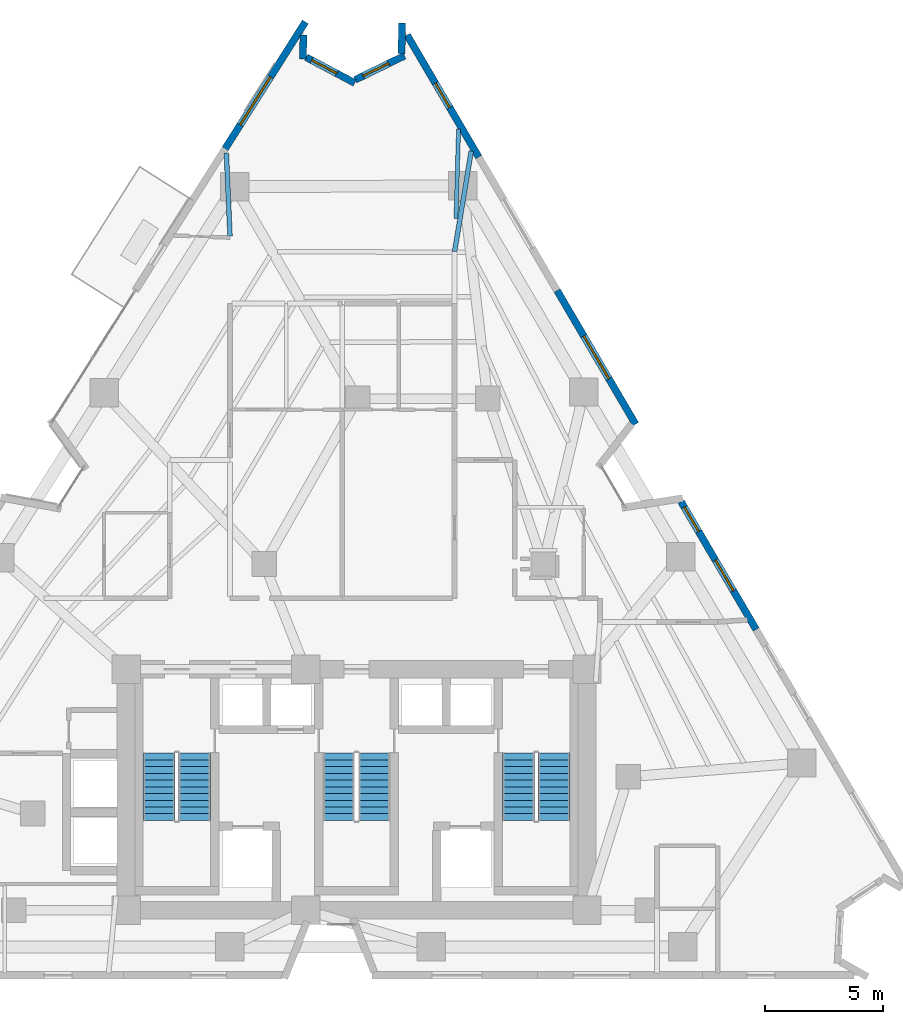
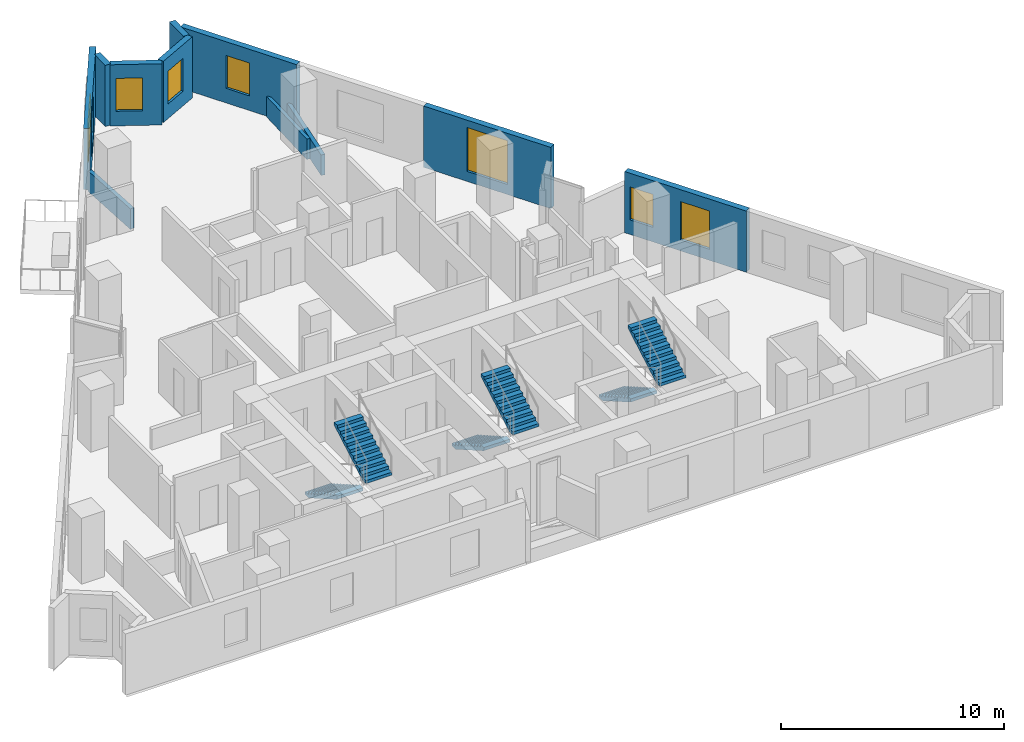
# One storey, part 9 of 11: 11 walls, 7 windows, 6 stair flights, 7 openings, 3 elements without a shape of their own.
"""IFC4 building model written with IfcOpenShell, lengths in metres."""

import ifcopenshell
import ifcopenshell.guid

model = None  # the IFC model being written
_history = None  # IfcOwnerHistory: only IFC2X3 demands one
_inside = {}  # id of a spatial element -> (the spatial element, [elements in it])
_under = {}  # id of a project, library or spatial element -> (it, [spatial elements below it])
_declared = {}  # id of a project -> (the project, [libraries it declares])
_typed = {}  # id of a type object -> (the type object, [elements of that type])
_made_of = {}  # id of a material, layer set ... -> (it, [elements and type objects made of it])


def new_model(schema):
    """Start an empty IFC model of exactly this schema.

    Asked for "IFC4X3", IfcOpenShell would pick the latest addendum, in which some entities
    have other attributes; the version numbers below select the first issue.
    IFC2X3 requires an IfcOwnerHistory on every rooted entity: one is made here for all.
    """
    global model, _history
    if schema == "IFC4X3":
        model = ifcopenshell.file(schema_version=(4, 3, 0, 0))
    else:
        model = ifcopenshell.file(schema=schema)
    _inside.clear()
    _under.clear()
    _declared.clear()
    _typed.clear()
    _made_of.clear()
    _history = None
    if model.schema == "IFC2X3":
        org = make("IfcOrganization", Name="unknown")
        user = make(
            "IfcPersonAndOrganization",
            ThePerson=make("IfcPerson", FamilyName="unknown"),
            TheOrganization=org,
        )
        app = make(
            "IfcApplication",
            ApplicationDeveloper=org,
            Version="unknown",
            ApplicationFullName="unknown",
            ApplicationIdentifier="unknown",
        )
        _history = make(
            "IfcOwnerHistory",
            OwningUser=user,
            OwningApplication=app,
            ChangeAction="ADDED",
            CreationDate=0,
        )
    return model


def make(cls, **values):
    """One entity of the class cls with the attributes given. An attribute that is None is left unset."""
    return model.create_entity(
        cls, **{name: value for name, value in values.items() if value is not None}
    )


def rooted(cls, **values):
    """An entity with a GlobalId (a new one), such as an element, a storey or a relation."""
    return make(cls, GlobalId=ifcopenshell.guid.new(), OwnerHistory=_history, **values)


def si_unit(unit_type, name, prefix=None):
    """IfcSIUnit, for example si_unit("LENGTHUNIT", "METRE", prefix="MILLI")."""
    return make("IfcSIUnit", UnitType=unit_type, Prefix=prefix, Name=name)


def assignment(units):
    """IfcUnitAssignment: the units of a project."""
    return None if units is None else make("IfcUnitAssignment", Units=units)


def point(xyz):
    """IfcCartesianPoint."""
    return None if xyz is None else make("IfcCartesianPoint", Coordinates=xyz)


def direction(xyz):
    """IfcDirection."""
    return None if xyz is None else make("IfcDirection", DirectionRatios=xyz)


def frame(location, z_axis=None, x_axis=None):
    """IfcAxis2Placement3D, a coordinate frame: its origin and axes. An axis left out is left unset."""
    return make(
        "IfcAxis2Placement3D",
        Location=point(location),
        Axis=direction(z_axis),
        RefDirection=direction(x_axis),
    )


def frame_2d(location, x_axis=None):
    """IfcAxis2Placement2D, a coordinate frame in the plane: its origin and x axis."""
    return make(
        "IfcAxis2Placement2D", Location=point(location), RefDirection=direction(x_axis)
    )


def origin():
    """The frame at (0, 0, 0) with its axes left unset."""
    return frame((0.0, 0.0, 0.0))


def place(relative_to, where):
    """IfcLocalPlacement: puts the frame where relative to a parent placement (None: the world)."""
    return make(
        "IfcLocalPlacement", PlacementRelTo=relative_to, RelativePlacement=where
    )


def context(
    kind, dimensions, precision=None, world=None, true_north=None, identifier=None
):
    """IfcGeometricRepresentationContext, for example the 3D "Model" context."""
    return make(
        "IfcGeometricRepresentationContext",
        ContextIdentifier=identifier,
        ContextType=kind,
        CoordinateSpaceDimension=dimensions,
        Precision=precision,
        WorldCoordinateSystem=world,
        TrueNorth=true_north,
    )


def subcontext(parent, identifier, kind, view, scale=None):
    """IfcGeometricRepresentationSubContext, for example "Body" below "Model"."""
    return make(
        "IfcGeometricRepresentationSubContext",
        ContextIdentifier=identifier,
        ContextType=kind,
        ParentContext=parent,
        TargetScale=scale,
        TargetView=view,
    )


def project(units=None, contexts=None):
    """IfcProject with its units and contexts."""
    return rooted(
        "IfcProject",
        Name="project",
        RepresentationContexts=contexts,
        UnitsInContext=assignment(units),
    )


def spatial(cls, under=None, at=None, **own):
    """A site, building, storey or space (cls), placed at a placement, below another one or the project."""
    s = rooted(cls, ObjectPlacement=at, **own)
    if under is not None:
        _under.setdefault(under.id(), (under, []))[1].append(s)
    return s


def polyline(points):
    """IfcPolyline through the points."""
    return make("IfcPolyline", Points=[point(p) for p in points])


def profile(cls, at=None, kind="AREA", **sizes):
    """A parametric profile (cls). Its sizes go by their IFC names, for example OverallWidth=200.0."""
    return make(cls, ProfileType=kind, Position=at, **sizes)


def rectangle(**sizes):
    """IfcRectangleProfileDef."""
    return profile("IfcRectangleProfileDef", **sizes)


def outline(outer, holes=None, kind="AREA"):
    """IfcArbitraryClosedProfileDef: a profile drawn as a closed curve; with holes, ...WithVoids."""
    if holes is None:
        return make("IfcArbitraryClosedProfileDef", ProfileType=kind, OuterCurve=outer)
    return make(
        "IfcArbitraryProfileDefWithVoids",
        ProfileType=kind,
        OuterCurve=outer,
        InnerCurves=holes,
    )


def extrude(swept, where, along, depth):
    """IfcExtrudedAreaSolid: the profile swept, set in the frame where, extruded along a direction by depth."""
    return make(
        "IfcExtrudedAreaSolid",
        SweptArea=swept,
        Position=where,
        ExtrudedDirection=direction(along),
        Depth=depth,
    )


def shape(context_of_items, identifier, shape_type, items):
    """IfcShapeRepresentation: the items that make up one representation, for example the "Body"."""
    return make(
        "IfcShapeRepresentation",
        ContextOfItems=context_of_items,
        RepresentationIdentifier=identifier,
        RepresentationType=shape_type,
        Items=items,
    )


def material(Name=None, Category=None):
    """IfcMaterial."""
    return make("IfcMaterial", Name=Name, Category=Category)


def layer(
    of_material, thickness, ventilated=None, Name=None, Category=None, Priority=None
):
    """IfcMaterialLayer: one layer of a wall or slab, of a material (None: an air gap)."""
    return make(
        "IfcMaterialLayer",
        Material=of_material,
        LayerThickness=thickness,
        IsVentilated=ventilated,
        Name=Name,
        Category=Category,
        Priority=Priority,
    )


def layer_set(layers, Name=None):
    """IfcMaterialLayerSet."""
    return make("IfcMaterialLayerSet", MaterialLayers=layers, LayerSetName=Name)


def made_of(thing, what):
    """Note that an element or type object is made of a material, layer set ...; save() writes the relation."""
    if what is not None:
        _made_of.setdefault(what.id(), (what, []))[1].append(thing)
    return thing


def type_object(cls, material=None, **own):
    """A type object (cls), such as IfcWallType, which elements share."""
    return made_of(rooted(cls, **own), material)


def element(
    cls,
    number,
    at=None,
    inside=None,
    cuts=None,
    type_object=None,
    material=None,
    context=None,
    identifier="Body",
    shape_type=None,
    held_by="IfcProductDefinitionShape",
    body=None,
    shapes=None,
    **own,
):
    """One element of the class cls, such as IfcWall. Its Tag is "e" and its number.

    at: its placement. inside: the storey or other place that contains it. cuts: it is an
    opening in that element (IfcRelVoidsElement). A single representation is given by context,
    identifier, shape_type and body (its items); several are given by shapes. held_by: the class
    of the entity that holds the representations. save() writes the other relations.
    """
    e = rooted(cls, Tag="e%d" % number, ObjectPlacement=at, **own)
    if body is not None:
        shapes = [shape(context, identifier, shape_type, body)]
    if shapes is not None:
        e.Representation = make(held_by, Representations=shapes)
    if inside is not None:
        _inside.setdefault(inside.id(), (inside, []))[1].append(e)
    if cuts is not None:
        rooted(
            "IfcRelVoidsElement", RelatingBuildingElement=cuts, RelatedOpeningElement=e
        )
    if type_object is not None:
        _typed.setdefault(type_object.id(), (type_object, []))[1].append(e)
    return made_of(e, material)


def fill(opening, filler):
    """IfcRelFillsElement: the door or window that sits in an opening."""
    return rooted(
        "IfcRelFillsElement",
        RelatingOpeningElement=opening,
        RelatedBuildingElement=filler,
    )


def aggregate(whole, parts):
    """IfcRelAggregates: a whole, such as a stair, and the parts it consists of."""
    return rooted("IfcRelAggregates", RelatingObject=whole, RelatedObjects=parts)


def save(model, path):
    """Write the relations noted so far, then the file.

    IfcRelAggregates (storeys below a building ...), IfcRelContainedInSpatialStructure (elements
    in a storey), IfcRelDefinesByType, IfcRelAssociatesMaterial and IfcRelDeclares: one each for
    every whole, place, type object, material and project.
    """
    for whole, parts in _under.values():
        aggregate(whole, parts)
    for where, things in _inside.values():
        rooted(
            "IfcRelContainedInSpatialStructure",
            RelatedElements=things,
            RelatingStructure=where,
        )
    for kind, things in _typed.values():
        rooted("IfcRelDefinesByType", RelatedObjects=things, RelatingType=kind)
    for what, things in _made_of.values():
        rooted("IfcRelAssociatesMaterial", RelatedObjects=things, RelatingMaterial=what)
    for by, libraries in _declared.values():
        rooted("IfcRelDeclares", RelatingContext=by, RelatedDefinitions=libraries)
    model.write(path)


model = new_model("IFC4")

# Units and contexts
model_context = context("Model", 3, precision=1e-05, world=origin(), true_north=direction((0.0, 1.0)))
body_context = subcontext(model_context, "Body", "Model", "MODEL_VIEW")
ifc_project = project(units=[si_unit("LENGTHUNIT", "METRE"), si_unit("AREAUNIT", "SQUARE_METRE"), si_unit("VOLUMEUNIT", "CUBIC_METRE"), si_unit("PLANEANGLEUNIT", "RADIAN"), si_unit("MASSUNIT", "GRAM", prefix="KILO")], contexts=[model_context])

# Site, building, storey
site_placement = place(None, origin())
site = spatial("IfcSite", under=ifc_project, at=site_placement, CompositionType="ELEMENT")
building_placement = place(site_placement, origin())
building = spatial("IfcBuilding", under=site, at=building_placement, Name="Almagre Mirador Tower", CompositionType="ELEMENT")
storey_placement = place(building_placement, frame((0.0, 0.0, 128.39990234375)))
storey = spatial("IfcBuildingStorey", under=building, at=storey_placement, Name="L32", CompositionType="ELEMENT", Elevation=128.39990234375)

# Wall, opening, window
ifc_material_1 = material(Name="Precast concrete C50/60", Category="concrete")
ifc_layer_1 = layer(ifc_material_1, 0.300048828125)
ifc_layer_set_1 = layer_set([ifc_layer_1], Name="Precast concrete C50/60")
wall_type_1 = type_object("IfcWallType", Name="WAL-EXT-300", PredefinedType="SOLIDWALL", material=ifc_layer_set_1)
wall_1_placement = place(storey_placement, frame((31.708740234375, 36.724853515625, 0.0), z_axis=(0.0, 0.0, 1.0), x_axis=(0.534918812586, 0.844903464274, 0.0)))
wall_1 = element("IfcWall", 1, at=wall_1_placement, inside=storey, type_object=wall_type_1, Name="L32 expressed almagre precast frame wall 04", PredefinedType="SOLIDWALL", context=body_context, shape_type="SweptSolid", body=[
    extrude(rectangle(XDim=6.406982421875, YDim=0.300048828125, at=frame_2d((3.20361328125, 0.0))), origin(), (0.0, 0.0, 1.0), 3.35009765625),
])
opening_1_placement = place(wall_1_placement, frame((1.2548828125, 0.0, 0.60009765625)))
opening_1 = element("IfcOpeningElement", 2, at=opening_1_placement, cuts=wall_1, Name="Opening WN-02", PredefinedType="OPENING", context=body_context, shape_type="SweptSolid", body=[
    extrude(rectangle(XDim=2.39990234375, YDim=2.10009765625, at=frame_2d((1.199951171875, 1.050048828125))), frame((0.0, 0.159902, 0.0), z_axis=(0.0, -1.0, 0.0), x_axis=(1.0, 0.0, 0.0)), (0.0, 0.0, 1.0), 0.320049),
])
ifc_material_2 = material(Name="Dark solar-control laminated hurricane glass", Category="glass")
window_type_1 = type_object("IfcWindowType", Name="WIN-2400X2100", PartitioningType="TRIPLE_PANEL_VERTICAL", PredefinedType="WINDOW", material=ifc_material_2)
window_1_placement = place(opening_1_placement, origin())
window_1 = element("IfcWindow", 3, at=window_1_placement, inside=storey, type_object=window_type_1, Name="L32 recessed hurricane window L32-UK-LV", OverallHeight=2.10009765625, OverallWidth=2.39990234375, PartitioningType="SINGLE_PANEL", PredefinedType="WINDOW", context=body_context, shape_type="SweptSolid", body=[
    extrude(rectangle(XDim=2.39990234375, YDim=2.10009765625, at=frame_2d((1.199951171875, 1.050048828125))), frame((0.0, 0.030029296875, 0.0), z_axis=(0.0, -1.0, 0.0), x_axis=(1.0, 0.0, 0.0)), (0.0, 0.0, 1.0), 0.06005859375),
])
fill(opening_1, window_1)

# Wall
wall_2_placement = place(storey_placement, frame((35.0537109375, 41.580078125, 0.0), z_axis=(0.0, 0.0, 1.0), x_axis=(-0.017000214723, -0.999855485908, 0.0)))
element("IfcWall", 4, at=wall_2_placement, inside=storey, type_object=wall_type_1, Name="L32 expressed almagre precast frame wall 05", PredefinedType="SOLIDWALL", context=body_context, shape_type="SweptSolid", body=[
    extrude(rectangle(XDim=1.00537109375, YDim=0.300048828125, at=frame_2d((0.502685546875, 0.0))), origin(), (0.0, 0.0, 1.0), 3.35009765625),
])

# Wall, opening, window
wall_3_placement = place(storey_placement, frame((35.17138671875, 40.644775390625, 0.0), z_axis=(0.0, 0.0, 1.0), x_axis=(0.88357593973, -0.468287901541, 0.0)))
wall_3 = element("IfcWall", 5, at=wall_3_placement, inside=storey, type_object=wall_type_1, Name="L32 expressed almagre precast frame wall 06", PredefinedType="SOLIDWALL", context=body_context, shape_type="SweptSolid", body=[
    extrude(rectangle(XDim=2.326171875, YDim=0.300048828125, at=frame_2d((1.1630859375, 0.0))), origin(), (0.0, 0.0, 1.0), 3.35009765625),
])
opening_2_placement = place(wall_3_placement, frame((0.260009765625, 0.0, 0.800048828125)))
opening_2 = element("IfcOpeningElement", 6, at=opening_2_placement, cuts=wall_3, Name="Opening WN-04", PredefinedType="OPENING", context=body_context, shape_type="SweptSolid", body=[
    extrude(rectangle(XDim=1.199951171875, YDim=1.800048828125, at=frame_2d((0.60009765625, 0.89990234375))), frame((0.0, 0.159902, 0.0), z_axis=(0.0, -1.0, 0.0), x_axis=(1.0, 0.0, 0.0)), (0.0, 0.0, 1.0), 0.320049),
])
ifc_material_3 = material(Name="Dark solar-control laminated hurricane glass", Category="glass")
window_type_2 = type_object("IfcWindowType", Name="WIN-1200X1800", PartitioningType="SINGLE_PANEL", PredefinedType="WINDOW", material=ifc_material_3)
window_2_placement = place(opening_2_placement, origin())
window_2 = element("IfcWindow", 7, at=window_2_placement, inside=storey, type_object=window_type_2, Name="L32 recessed hurricane window L32-UK-LV", OverallHeight=1.800048828125, OverallWidth=1.199951171875, PartitioningType="SINGLE_PANEL", PredefinedType="WINDOW", context=body_context, shape_type="SweptSolid", body=[
    extrude(rectangle(XDim=1.199951171875, YDim=1.800048828125, at=frame_2d((0.60009765625, 0.89990234375))), frame((0.0, 0.030029296875, 0.0), z_axis=(0.0, -1.0, 0.0), x_axis=(1.0, 0.0, 0.0)), (0.0, 0.0, 1.0), 0.06005859375),
])
fill(opening_2, window_2)

wall_4_placement = place(storey_placement, frame((37.2421875, 39.68896484375, 0.0), z_axis=(0.0, 0.0, 1.0), x_axis=(0.898736119344, 0.438489894738, 0.0)))
wall_4 = element("IfcWall", 8, at=wall_4_placement, inside=storey, type_object=wall_type_1, Name="L32 expressed almagre precast frame wall 07", PredefinedType="SOLIDWALL", context=body_context, shape_type="SweptSolid", body=[
    extrude(rectangle(XDim=2.32275390625, YDim=0.300048828125, at=frame_2d((1.161376953125, 0.0))), origin(), (0.0, 0.0, 1.0), 3.35009765625),
])
opening_3_placement = place(wall_4_placement, frame((0.3798828125, 0.0, 0.800048828125)))
opening_3 = element("IfcOpeningElement", 9, at=opening_3_placement, cuts=wall_4, Name="Opening WN-04", PredefinedType="OPENING", context=body_context, shape_type="SweptSolid", body=[
    extrude(rectangle(XDim=1.199951171875, YDim=1.800048828125, at=frame_2d((0.60009765625, 0.89990234375))), frame((0.0, 0.159902, 0.0), z_axis=(0.0, -1.0, 0.0), x_axis=(1.0, 0.0, 0.0)), (0.0, 0.0, 1.0), 0.320049),
])
window_3_placement = place(opening_3_placement, origin())
window_3 = element("IfcWindow", 10, at=window_3_placement, inside=storey, type_object=window_type_2, Name="L32 recessed hurricane window L32-UK-KT", OverallHeight=1.800048828125, OverallWidth=1.199951171875, PartitioningType="SINGLE_PANEL", PredefinedType="WINDOW", context=body_context, shape_type="SweptSolid", body=[
    extrude(rectangle(XDim=1.199951171875, YDim=1.800048828125, at=frame_2d((0.60009765625, 0.89990234375))), frame((0.0, 0.030029296875, 0.0), z_axis=(0.0, -1.0, 0.0), x_axis=(1.0, 0.0, 0.0)), (0.0, 0.0, 1.0), 0.06005859375),
])
fill(opening_3, window_3)

# Wall
wall_5_placement = place(storey_placement, frame((39.206298828125, 40.791015625, 0.0), z_axis=(0.0, 0.0, 1.0), x_axis=(0.01614812892, 0.999869610465, 0.0)))
element("IfcWall", 11, at=wall_5_placement, inside=storey, type_object=wall_type_1, Name="L32 expressed almagre precast frame wall 08", PredefinedType="SOLIDWALL", context=body_context, shape_type="SweptSolid", body=[
    extrude(rectangle(XDim=1.30029296875, YDim=0.300048828125, at=frame_2d((0.650146484375, 0.0))), origin(), (0.0, 0.0, 1.0), 3.35009765625),
])

# Wall, opening, window
wall_6_placement = place(storey_placement, frame((39.442626953125, 41.580078125, 0.0), z_axis=(0.0, 0.0, 1.0), x_axis=(0.506342397937, -0.862332520581, 0.0)))
wall_6 = element("IfcWall", 12, at=wall_6_placement, inside=storey, type_object=wall_type_1, Name="L32 expressed almagre precast frame wall 09", PredefinedType="SOLIDWALL", context=body_context, shape_type="SweptSolid", body=[
    extrude(rectangle(XDim=5.983642578125, YDim=0.300048828125, at=frame_2d((2.99169921875, 0.0))), origin(), (0.0, 0.0, 1.0), 3.35009765625),
])
opening_4_placement = place(wall_6_placement, frame((2.35498046875, 0.0, 0.800048828125)))
opening_4 = element("IfcOpeningElement", 13, at=opening_4_placement, cuts=wall_6, Name="Opening WN-04", PredefinedType="OPENING", context=body_context, shape_type="SweptSolid", body=[
    extrude(rectangle(XDim=1.199951171875, YDim=1.800048828125, at=frame_2d((0.60009765625, 0.89990234375))), frame((0.0, 0.159902, 0.0), z_axis=(0.0, -1.0, 0.0), x_axis=(1.0, 0.0, 0.0)), (0.0, 0.0, 1.0), 0.320049),
])
window_4_placement = place(opening_4_placement, origin())
window_4 = element("IfcWindow", 14, at=window_4_placement, inside=storey, type_object=window_type_2, Name="L32 recessed hurricane window L32-UK-KT", OverallHeight=1.800048828125, OverallWidth=1.199951171875, PartitioningType="SINGLE_PANEL", PredefinedType="WINDOW", context=body_context, shape_type="SweptSolid", body=[
    extrude(rectangle(XDim=1.199951171875, YDim=1.800048828125, at=frame_2d((0.60009765625, 0.89990234375))), frame((0.0, 0.030029296875, 0.0), z_axis=(0.0, -1.0, 0.0), x_axis=(1.0, 0.0, 0.0)), (0.0, 0.0, 1.0), 0.06005859375),
])
fill(opening_4, window_4)

wall_7_placement = place(storey_placement, frame((45.79052734375, 30.768798828125, 0.0), z_axis=(0.0, 0.0, 1.0), x_axis=(0.506326446954, -0.862341886443, 0.0)))
wall_7 = element("IfcWall", 15, at=wall_7_placement, inside=storey, type_object=wall_type_1, Name="L32 expressed almagre precast frame wall 11", PredefinedType="SOLIDWALL", context=body_context, shape_type="SweptSolid", body=[
    extrude(rectangle(XDim=6.5537109375, YDim=0.300048828125, at=frame_2d((3.27685546875, 0.0))), origin(), (0.0, 0.0, 1.0), 3.35009765625),
])
opening_5_placement = place(wall_7_placement, frame((2.22509765625, 0.0, 0.550048828125)))
opening_5 = element("IfcOpeningElement", 16, at=opening_5_placement, cuts=wall_7, Name="Opening WN-05", PredefinedType="OPENING", context=body_context, shape_type="SweptSolid", body=[
    extrude(rectangle(XDim=2.10009765625, YDim=2.39990234375, at=frame_2d((1.050048828125, 1.199951171875))), frame((0.0, 0.159902, 0.0), z_axis=(0.0, -1.0, 0.0), x_axis=(1.0, 0.0, 0.0)), (0.0, 0.0, 1.0), 0.320049),
])
ifc_material_4 = material(Name="Dark solar-control laminated hurricane glass", Category="glass")
window_type_3 = type_object("IfcWindowType", Name="WIN-2100X2400", PartitioningType="DOUBLE_PANEL_VERTICAL", PredefinedType="WINDOW", material=ifc_material_4)
window_5_placement = place(opening_5_placement, origin())
window_5 = element("IfcWindow", 17, at=window_5_placement, inside=storey, type_object=window_type_3, Name="L32 recessed hurricane window L32-UJ-ST", OverallHeight=2.39990234375, OverallWidth=2.10009765625, PartitioningType="SINGLE_PANEL", PredefinedType="WINDOW", context=body_context, shape_type="SweptSolid", body=[
    extrude(rectangle(XDim=2.10009765625, YDim=2.39990234375, at=frame_2d((1.050048828125, 1.199951171875))), frame((0.0, 0.030029296875, 0.0), z_axis=(0.0, -1.0, 0.0), x_axis=(1.0, 0.0, 0.0)), (0.0, 0.0, 1.0), 0.06005859375),
])
fill(opening_5, window_5)

# Wall, openings, windows
wall_8_placement = place(storey_placement, frame((51.032958984375, 21.84130859375, 0.0), z_axis=(0.0, 0.0, 1.0), x_axis=(0.506317595085, -0.862347083782, 0.0)))
wall_8 = element("IfcWall", 18, at=wall_8_placement, inside=storey, type_object=wall_type_1, Name="L32 expressed almagre precast frame wall 14", PredefinedType="SOLIDWALL", context=body_context, shape_type="SweptSolid", body=[
    extrude(rectangle(XDim=6.273681640625, YDim=0.300048828125, at=frame_2d((3.13671875, 0.0))), origin(), (0.0, 0.0, 1.0), 3.35009765625),
])
opening_6_placement = place(wall_8_placement, frame((0.27001953125, 0.0, 0.800048828125)))
opening_6 = element("IfcOpeningElement", 19, at=opening_6_placement, cuts=wall_8, Name="Opening WN-04", PredefinedType="OPENING", context=body_context, shape_type="SweptSolid", body=[
    extrude(rectangle(XDim=1.199951171875, YDim=1.800048828125, at=frame_2d((0.60009765625, 0.89990234375))), frame((0.0, 0.159902, 0.0), z_axis=(0.0, -1.0, 0.0), x_axis=(1.0, 0.0, 0.0)), (0.0, 0.0, 1.0), 0.320049),
])
opening_7_placement = place(wall_8_placement, frame((2.8701171875, 0.0, 0.60009765625)))
opening_7 = element("IfcOpeningElement", 20, at=opening_7_placement, cuts=wall_8, Name="Opening WN-03", PredefinedType="OPENING", context=body_context, shape_type="SweptSolid", body=[
    extrude(rectangle(XDim=1.5, YDim=2.10009765625, at=frame_2d((0.75, 1.050048828125))), frame((0.0, 0.159902, 0.0), z_axis=(0.0, -1.0, 0.0), x_axis=(1.0, 0.0, 0.0)), (0.0, 0.0, 1.0), 0.320049),
])
window_6_placement = place(opening_6_placement, origin())
window_6 = element("IfcWindow", 21, at=window_6_placement, inside=storey, type_object=window_type_2, Name="L32 recessed hurricane window L32-UJ-ST", OverallHeight=1.800048828125, OverallWidth=1.199951171875, PartitioningType="SINGLE_PANEL", PredefinedType="WINDOW", context=body_context, shape_type="SweptSolid", body=[
    extrude(rectangle(XDim=1.199951171875, YDim=1.800048828125, at=frame_2d((0.60009765625, 0.89990234375))), frame((0.0, 0.030029296875, 0.0), z_axis=(0.0, -1.0, 0.0), x_axis=(1.0, 0.0, 0.0)), (0.0, 0.0, 1.0), 0.06005859375),
])
fill(opening_6, window_6)
ifc_material_5 = material(Name="Dark solar-control laminated hurricane glass", Category="glass")
window_type_4 = type_object("IfcWindowType", Name="WIN-1500X2100", PartitioningType="DOUBLE_PANEL_VERTICAL", PredefinedType="WINDOW", material=ifc_material_5)
window_7_placement = place(opening_7_placement, origin())
window_7 = element("IfcWindow", 22, at=window_7_placement, inside=storey, type_object=window_type_4, Name="L32 recessed hurricane window L32-UJ-KT", OverallHeight=2.10009765625, OverallWidth=1.5, PartitioningType="SINGLE_PANEL", PredefinedType="WINDOW", context=body_context, shape_type="SweptSolid", body=[
    extrude(rectangle(XDim=1.5, YDim=2.10009765625, at=frame_2d((0.75, 1.050048828125))), frame((0.0, 0.030029296875, 0.0), z_axis=(0.0, -1.0, 0.0), x_axis=(1.0, 0.0, 0.0)), (0.0, 0.0, 1.0), 0.06005859375),
])
fill(opening_7, window_7)

# Walls
ifc_material_6 = material(Name="Gypsum acoustic stud partition", Category="other")
ifc_layer_2 = layer(ifc_material_6, 0.175048828125)
ifc_layer_set_2 = layer_set([ifc_layer_2], Name="Gypsum acoustic stud partition")
wall_type_2 = type_object("IfcWallType", Name="WAL-PRT-175-AC", PredefinedType="PARTITIONING", material=ifc_layer_set_2)
wall_9_placement = place(storey_placement, frame((41.509033203125, 33.826904296875, 0.0), z_axis=(0.0, 0.0, 1.0), x_axis=(0.029005072799, 0.999579264367, 0.0)))
element("IfcWall", 23, at=wall_9_placement, inside=storey, type_object=wall_type_2, Name="L32 interior partition 087", PredefinedType="PARTITIONING", context=body_context, shape_type="SweptSolid", body=[
    extrude(rectangle(XDim=3.787841796875, YDim=0.175048828125, at=frame_2d((1.89404296875, 0.0))), origin(), (0.0, 0.0, 1.0), 1.1201171875),
])
ifc_material_7 = material(Name="Gypsum acoustic stud partition", Category="other")
ifc_layer_3 = layer(ifc_material_7, 0.199951171875)
ifc_layer_set_3 = layer_set([ifc_layer_3], Name="Gypsum acoustic stud partition")
wall_type_3 = type_object("IfcWallType", Name="WAL-PRT-200-EI60", PredefinedType="PARTITIONING", material=ifc_layer_set_3)
wall_10_placement = place(storey_placement, frame((31.947998046875, 33.070068359375, 0.0), z_axis=(0.0, 0.0, 1.0), x_axis=(-0.044039147995, 0.999029806084, 0.0)))
element("IfcWall", 24, at=wall_10_placement, inside=storey, type_object=wall_type_3, Name="L32 interior partition 056", PredefinedType="PARTITIONING", context=body_context, shape_type="SweptSolid", body=[
    extrude(rectangle(XDim=3.520263671875, YDim=0.199951171875, at=frame_2d((1.76025390625, 0.0))), origin(), (0.0, 0.0, 1.0), 1.1201171875),
])
wall_11_placement = place(storey_placement, frame((42.154052734375, 36.675048828125, 0.0), z_axis=(0.0, 0.0, 1.0), x_axis=(-0.163251458882, -0.986584492668, 0.0)))
element("IfcWall", 25, at=wall_11_placement, inside=storey, type_object=wall_type_3, Name="L32 interior partition 075", PredefinedType="PARTITIONING", context=body_context, shape_type="SweptSolid", body=[
    extrude(rectangle(XDim=4.31298828125, YDim=0.199951171875, at=frame_2d((2.156494140625, 0.0))), origin(), (0.0, 0.0, 1.0), 1.1201171875),
])

# Stair, stair flights
ifc_material_8 = material(Name="Concrete C45/55", Category="concrete")
stair_type = type_object("IfcStairType", Name="STR-DL-3600", PredefinedType="HALF_TURN_STAIR", material=ifc_material_8)
stair_1_placement = place(storey_placement, origin())
stair_1 = element("IfcStair", 26, at=stair_1_placement, inside=storey, type_object=stair_type, Name="L32 Protected exit stair ST-1", PredefinedType="HALF_TURN_STAIR")
ifc_material_9 = material(Name="Concrete C45/55", Category="concrete")
stair_flight_type = type_object("IfcStairFlightType", Name="FLT-DL-3600", PredefinedType="STRAIGHT", material=ifc_material_9)
stair_flight_1_placement = place(storey_placement, frame((28.949951171875, 11.199951171875, 0.0), z_axis=(0.0, 0.0, 1.0), x_axis=(0.0, -1.0, 0.0)))
stair_flight_1 = element("IfcStairFlight", 27, at=stair_flight_1_placement, type_object=stair_flight_type, Name="ST-1 flight 1", NumberOfRisers=11, NumberOfTreads=10, PredefinedType="STRAIGHT", RiserHeight=0.163636364, TreadLength=0.285, context=body_context, shape_type="SweptSolid", body=[
    extrude(outline(polyline([(0.0, 0.0), (0.0, 0.16357421875), (0.284912109375, 0.16357421875), (0.284912109375, 0.327392578125), (0.570068359375, 0.327392578125), (0.570068359375, 0.490966796875), (0.85498046875, 0.490966796875), (0.85498046875, 0.654541015625), (1.139892578125, 0.654541015625), (1.139892578125, 0.818115234375), (1.425048828125, 0.818115234375), (1.425048828125, 0.98193359375), (1.7099609375, 0.98193359375), (1.7099609375, 1.1455078125), (1.9951171875, 1.1455078125), (1.9951171875, 1.30908203125), (2.280029296875, 1.30908203125), (2.280029296875, 1.47265625), (2.56494140625, 1.47265625), (2.56494140625, 1.636474609375), (2.85009765625, 1.636474609375), (2.85009765625, 1.800048828125), (2.85009765625, 1.463623046875), (0.301025390625, 0.0), (0.0, 0.0)])), frame((0.0, 0.675048828125, 0.0), z_axis=(0.0, -1.0, 0.0), x_axis=(1.0, 0.0, 0.0)), (0.0, 0.0, 1.0), 1.35009765625),
])
stair_flight_2_placement = place(storey_placement, frame((30.449951171875, 8.35009765625, 1.800048828125), z_axis=(0.0, 0.0, 1.0), x_axis=(0.0, 1.0, 0.0)))
stair_flight_2 = element("IfcStairFlight", 28, at=stair_flight_2_placement, type_object=stair_flight_type, Name="ST-1 flight 2", NumberOfRisers=11, NumberOfTreads=10, PredefinedType="STRAIGHT", RiserHeight=0.163636364, TreadLength=0.285, context=body_context, shape_type="SweptSolid", body=[
    extrude(outline(polyline([(0.0, 0.0), (0.0, 0.16357421875), (0.284912109375, 0.16357421875), (0.284912109375, 0.327392578125), (0.570068359375, 0.327392578125), (0.570068359375, 0.490966796875), (0.85498046875, 0.490966796875), (0.85498046875, 0.654541015625), (1.139892578125, 0.654541015625), (1.139892578125, 0.818115234375), (1.425048828125, 0.818115234375), (1.425048828125, 0.98193359375), (1.7099609375, 0.98193359375), (1.7099609375, 1.1455078125), (1.9951171875, 1.1455078125), (1.9951171875, 1.30908203125), (2.280029296875, 1.30908203125), (2.280029296875, 1.47265625), (2.56494140625, 1.47265625), (2.56494140625, 1.636474609375), (2.85009765625, 1.636474609375), (2.85009765625, 1.800048828125), (2.85009765625, 1.463623046875), (0.301025390625, 0.0), (0.0, 0.0)])), frame((0.0, 0.675048828125, 0.0), z_axis=(0.0, -1.0, 0.0), x_axis=(1.0, 0.0, 0.0)), (0.0, 0.0, 1.0), 1.35009765625),
])
aggregate(stair_1, [stair_flight_1, stair_flight_2])

stair_2_placement = place(storey_placement, origin())
stair_2 = element("IfcStair", 29, at=stair_2_placement, inside=storey, type_object=stair_type, Name="L32 Protected exit stair ST-2", PredefinedType="HALF_TURN_STAIR")
stair_flight_3_placement = place(storey_placement, frame((36.550048828125, 11.199951171875, 0.0), z_axis=(0.0, 0.0, 1.0), x_axis=(0.0, -1.0, 0.0)))
stair_flight_3 = element("IfcStairFlight", 30, at=stair_flight_3_placement, type_object=stair_flight_type, Name="ST-2 flight 1", NumberOfRisers=11, NumberOfTreads=10, PredefinedType="STRAIGHT", RiserHeight=0.163636364, TreadLength=0.285, context=body_context, shape_type="SweptSolid", body=[
    extrude(outline(polyline([(0.0, 0.0), (0.0, 0.16357421875), (0.284912109375, 0.16357421875), (0.284912109375, 0.327392578125), (0.570068359375, 0.327392578125), (0.570068359375, 0.490966796875), (0.85498046875, 0.490966796875), (0.85498046875, 0.654541015625), (1.139892578125, 0.654541015625), (1.139892578125, 0.818115234375), (1.425048828125, 0.818115234375), (1.425048828125, 0.98193359375), (1.7099609375, 0.98193359375), (1.7099609375, 1.1455078125), (1.9951171875, 1.1455078125), (1.9951171875, 1.30908203125), (2.280029296875, 1.30908203125), (2.280029296875, 1.47265625), (2.56494140625, 1.47265625), (2.56494140625, 1.636474609375), (2.85009765625, 1.636474609375), (2.85009765625, 1.800048828125), (2.85009765625, 1.463623046875), (0.301025390625, 0.0), (0.0, 0.0)])), frame((0.0, 0.675048828125, 0.0), z_axis=(0.0, -1.0, 0.0), x_axis=(1.0, 0.0, 0.0)), (0.0, 0.0, 1.0), 1.35009765625),
])
stair_flight_4_placement = place(storey_placement, frame((38.050048828125, 8.35009765625, 1.800048828125), z_axis=(0.0, 0.0, 1.0), x_axis=(0.0, 1.0, 0.0)))
stair_flight_4 = element("IfcStairFlight", 31, at=stair_flight_4_placement, type_object=stair_flight_type, Name="ST-2 flight 2", NumberOfRisers=11, NumberOfTreads=10, PredefinedType="STRAIGHT", RiserHeight=0.163636364, TreadLength=0.285, context=body_context, shape_type="SweptSolid", body=[
    extrude(outline(polyline([(0.0, 0.0), (0.0, 0.16357421875), (0.284912109375, 0.16357421875), (0.284912109375, 0.327392578125), (0.570068359375, 0.327392578125), (0.570068359375, 0.490966796875), (0.85498046875, 0.490966796875), (0.85498046875, 0.654541015625), (1.139892578125, 0.654541015625), (1.139892578125, 0.818115234375), (1.425048828125, 0.818115234375), (1.425048828125, 0.98193359375), (1.7099609375, 0.98193359375), (1.7099609375, 1.1455078125), (1.9951171875, 1.1455078125), (1.9951171875, 1.30908203125), (2.280029296875, 1.30908203125), (2.280029296875, 1.47265625), (2.56494140625, 1.47265625), (2.56494140625, 1.636474609375), (2.85009765625, 1.636474609375), (2.85009765625, 1.800048828125), (2.85009765625, 1.463623046875), (0.301025390625, 0.0), (0.0, 0.0)])), frame((0.0, 0.675048828125, 0.0), z_axis=(0.0, -1.0, 0.0), x_axis=(1.0, 0.0, 0.0)), (0.0, 0.0, 1.0), 1.35009765625),
])
aggregate(stair_2, [stair_flight_3, stair_flight_4])

stair_3_placement = place(storey_placement, origin())
stair_3 = element("IfcStair", 32, at=stair_3_placement, inside=storey, type_object=stair_type, Name="L32 Protected exit stair ST-3", PredefinedType="HALF_TURN_STAIR")
stair_flight_5_placement = place(storey_placement, frame((44.14990234375, 11.199951171875, 0.0), z_axis=(0.0, 0.0, 1.0), x_axis=(0.0, -1.0, 0.0)))
stair_flight_5 = element("IfcStairFlight", 33, at=stair_flight_5_placement, type_object=stair_flight_type, Name="ST-3 flight 1", NumberOfRisers=11, NumberOfTreads=10, PredefinedType="STRAIGHT", RiserHeight=0.163636364, TreadLength=0.285, context=body_context, shape_type="SweptSolid", body=[
    extrude(outline(polyline([(0.0, 0.0), (0.0, 0.16357421875), (0.284912109375, 0.16357421875), (0.284912109375, 0.327392578125), (0.570068359375, 0.327392578125), (0.570068359375, 0.490966796875), (0.85498046875, 0.490966796875), (0.85498046875, 0.654541015625), (1.139892578125, 0.654541015625), (1.139892578125, 0.818115234375), (1.425048828125, 0.818115234375), (1.425048828125, 0.98193359375), (1.7099609375, 0.98193359375), (1.7099609375, 1.1455078125), (1.9951171875, 1.1455078125), (1.9951171875, 1.30908203125), (2.280029296875, 1.30908203125), (2.280029296875, 1.47265625), (2.56494140625, 1.47265625), (2.56494140625, 1.636474609375), (2.85009765625, 1.636474609375), (2.85009765625, 1.800048828125), (2.85009765625, 1.463623046875), (0.301025390625, 0.0), (0.0, 0.0)])), frame((0.0, 0.675048828125, 0.0), z_axis=(0.0, -1.0, 0.0), x_axis=(1.0, 0.0, 0.0)), (0.0, 0.0, 1.0), 1.35009765625),
])
stair_flight_6_placement = place(storey_placement, frame((45.64990234375, 8.35009765625, 1.800048828125), z_axis=(0.0, 0.0, 1.0), x_axis=(0.0, 1.0, 0.0)))
stair_flight_6 = element("IfcStairFlight", 34, at=stair_flight_6_placement, type_object=stair_flight_type, Name="ST-3 flight 2", NumberOfRisers=11, NumberOfTreads=10, PredefinedType="STRAIGHT", RiserHeight=0.163636364, TreadLength=0.285, context=body_context, shape_type="SweptSolid", body=[
    extrude(outline(polyline([(0.0, 0.0), (0.0, 0.16357421875), (0.284912109375, 0.16357421875), (0.284912109375, 0.327392578125), (0.570068359375, 0.327392578125), (0.570068359375, 0.490966796875), (0.85498046875, 0.490966796875), (0.85498046875, 0.654541015625), (1.139892578125, 0.654541015625), (1.139892578125, 0.818115234375), (1.425048828125, 0.818115234375), (1.425048828125, 0.98193359375), (1.7099609375, 0.98193359375), (1.7099609375, 1.1455078125), (1.9951171875, 1.1455078125), (1.9951171875, 1.30908203125), (2.280029296875, 1.30908203125), (2.280029296875, 1.47265625), (2.56494140625, 1.47265625), (2.56494140625, 1.636474609375), (2.85009765625, 1.636474609375), (2.85009765625, 1.800048828125), (2.85009765625, 1.463623046875), (0.301025390625, 0.0), (0.0, 0.0)])), frame((0.0, 0.675048828125, 0.0), z_axis=(0.0, -1.0, 0.0), x_axis=(1.0, 0.0, 0.0)), (0.0, 0.0, 1.0), 1.35009765625),
])
aggregate(stair_3, [stair_flight_5, stair_flight_6])

save(model, "model.ifc")
